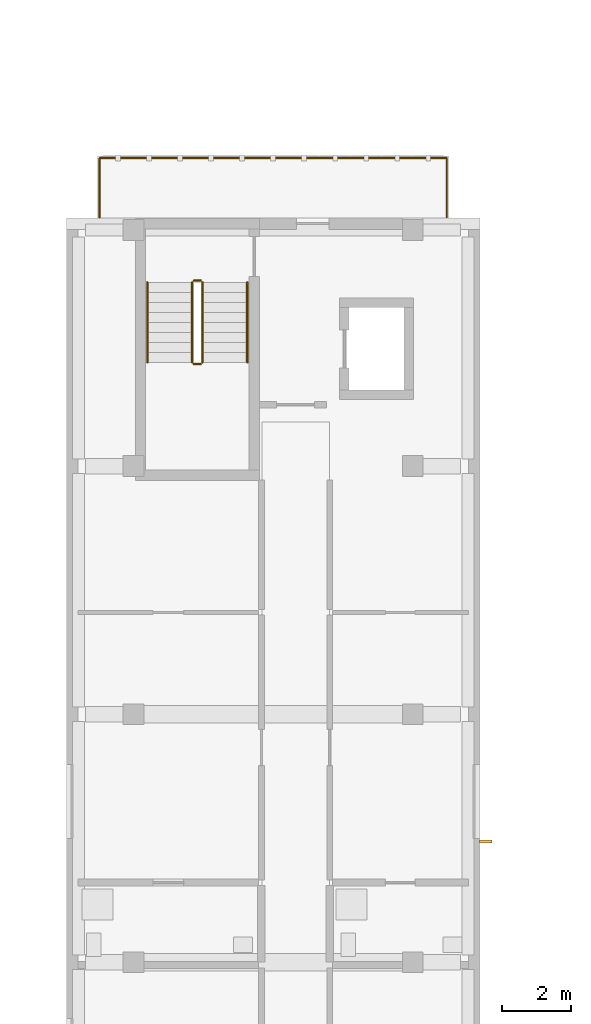
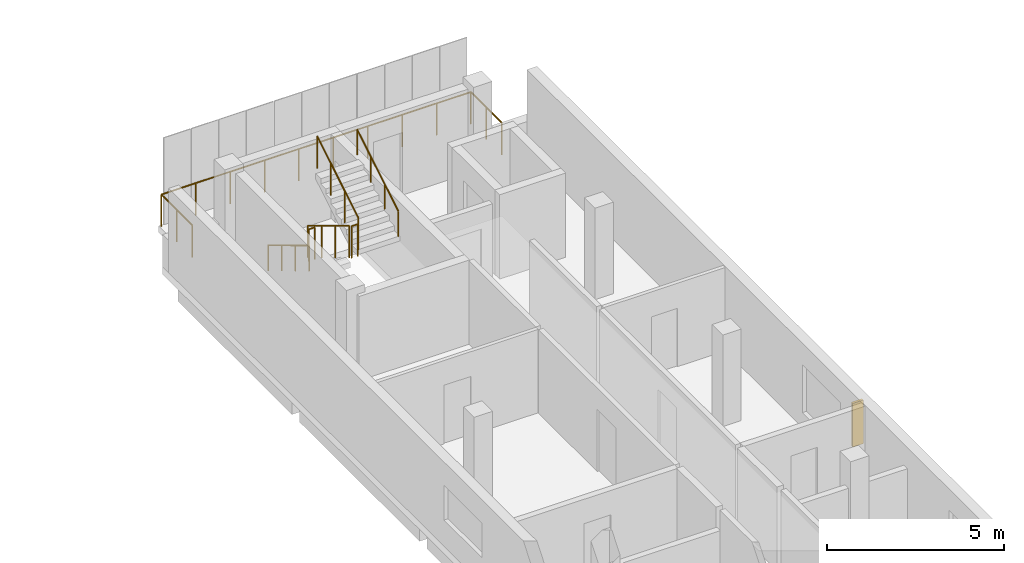
# One storey, part 30 of 35: 7 railings, 1 shading device.
"""IFC4 building model written with IfcOpenShell, lengths in metres."""

from ifc_helpers import new_model, si_unit, derived_unit, direction, frame, origin, origin_2d, place, context, subcontext, project, spatial, rectangle, circle, extrude, material, type_object, element, save


model = new_model("IFC4")

# Units and contexts
model_context = context("Model", 3, precision=1e-05, world=origin(), true_north=direction((0.0, 1.0)))
body_context = subcontext(model_context, "Body", "Model", "MODEL_VIEW")
ifc_project = project(units=[si_unit("LENGTHUNIT", "METRE"), si_unit("AREAUNIT", "SQUARE_METRE"), si_unit("VOLUMEUNIT", "CUBIC_METRE"), si_unit("PLANEANGLEUNIT", "RADIAN"), si_unit("MASSUNIT", "GRAM", prefix="KILO"), derived_unit("THERMALTRANSMITTANCEUNIT", [(si_unit("MASSUNIT", "GRAM", prefix="KILO"), 1), (si_unit("TIMEUNIT", "SECOND"), -3), (si_unit("THERMODYNAMICTEMPERATUREUNIT", "KELVIN"), -1)])], contexts=[model_context])

# Site, building, storey
site_placement = place(None, origin())
site = spatial("IfcSite", under=ifc_project, at=site_placement, CompositionType="ELEMENT")
building_placement = place(site_placement, origin())
building = spatial("IfcBuilding", under=site, at=building_placement, Name="Ochrekiln Boulevard Commons", CompositionType="ELEMENT")
storey_placement = place(building_placement, frame((0.0, 0.0, 30.97509765625)))
storey = spatial("IfcBuildingStorey", under=building, at=storey_placement, Name="L09", CompositionType="ELEMENT", Elevation=30.97509765625)

# Railings
ifc_material_1 = material(Name="Bronze-anodized extruded aluminium 6063-T6", Category="aluminium")
railing_type_1 = type_object("IfcRailingType", Name="RLG-BAL-1120", PredefinedType="BALUSTRADE", material=ifc_material_1)
railing_1_placement = place(storey_placement, frame((155.159912109375, 50.39990234375, 0.0)))
element("IfcRailing", 1, at=railing_1_placement, inside=storey, type_object=railing_type_1, Name="Block C L09 Screened Balcony Guard", PredefinedType="BALUSTRADE", context=body_context, shape_type="SweptSolid", body=[
    extrude(circle(Radius=0.02392578125, at=origin_2d()), frame((0.0, 0.0, 1.09619140625), z_axis=(0.0, 1.0, 0.0), x_axis=(-1.0, 0.0, 0.0)), (0.0, 0.0, 1.0), 1.739990234375),
    extrude(circle(Radius=0.02392578125, at=origin_2d()), frame((0.0, 1.739990234375, 1.09619140625), z_axis=(1.0, 0.0, 0.0), x_axis=(0.0, 1.0, 0.0)), (0.0, 0.0, 1.0), 10.080078125),
    extrude(circle(Radius=0.02392578125, at=origin_2d()), frame((10.080078125, 1.739990234375, 1.09619140625), z_axis=(0.0, -1.0, 0.0), x_axis=(1.0, 0.0, 0.0)), (0.0, 0.0, 1.0), 1.739990234375),
    extrude(circle(Radius=0.02099609375, at=origin_2d()), origin(), (0.0, 0.0, 1.0), 1.072021484375),
    extrude(circle(Radius=0.02099609375, at=origin_2d()), frame((0.0, 0.8701171875, 0.0)), (0.0, 0.0, 1.0), 1.072021484375),
    extrude(circle(Radius=0.02099609375, at=origin_2d()), frame((0.0, 1.739990234375, 0.0)), (0.0, 0.0, 1.0), 1.072021484375),
    extrude(circle(Radius=0.02099609375, at=origin_2d()), frame((1.1201171875, 1.739990234375, 0.0)), (0.0, 0.0, 1.0), 1.072021484375),
    extrude(circle(Radius=0.02099609375, at=origin_2d()), frame((2.239990234375, 1.739990234375, 0.0)), (0.0, 0.0, 1.0), 1.072021484375),
    extrude(circle(Radius=0.02099609375, at=origin_2d()), frame((3.360107421875, 1.739990234375, 0.0)), (0.0, 0.0, 1.0), 1.072021484375),
    extrude(circle(Radius=0.02099609375, at=origin_2d()), frame((4.47998046875, 1.739990234375, 0.0)), (0.0, 0.0, 1.0), 1.072021484375),
    extrude(circle(Radius=0.02099609375, at=origin_2d()), frame((5.60009765625, 1.739990234375, 0.0)), (0.0, 0.0, 1.0), 1.072021484375),
    extrude(circle(Radius=0.02099609375, at=origin_2d()), frame((6.719970703125, 1.739990234375, 0.0)), (0.0, 0.0, 1.0), 1.072021484375),
    extrude(circle(Radius=0.02099609375, at=origin_2d()), frame((7.840087890625, 1.739990234375, 0.0)), (0.0, 0.0, 1.0), 1.072021484375),
    extrude(circle(Radius=0.02099609375, at=origin_2d()), frame((8.9599609375, 1.739990234375, 0.0)), (0.0, 0.0, 1.0), 1.072021484375),
    extrude(circle(Radius=0.02099609375, at=origin_2d()), frame((10.080078125, 1.739990234375, 0.0)), (0.0, 0.0, 1.0), 1.072021484375),
    extrude(circle(Radius=0.02099609375, at=origin_2d()), frame((10.080078125, 0.8701171875, 0.0)), (0.0, 0.0, 1.0), 1.072021484375),
    extrude(circle(Radius=0.02099609375, at=origin_2d()), frame((10.080078125, 0.0, 0.0)), (0.0, 0.0, 1.0), 1.072021484375),
])
ifc_material_2 = material(Name="Brushed stainless steel 316 tubular railing", Category="steel")
railing_type_2 = type_object("IfcRailingType", Name="RLG-HDR-900", PredefinedType="HANDRAIL", material=ifc_material_2)
railing_2_placement = place(storey_placement, frame((156.550048828125, 48.530029296875, 0.1748046875)))
element("IfcRailing", 2, at=railing_2_placement, inside=storey, type_object=railing_type_2, Name="L09 ST-C2 stair handrail 1", PredefinedType="HANDRAIL", context=body_context, shape_type="SweptSolid", body=[
    extrude(circle(Radius=0.02392578125, at=origin_2d()), frame((0.0, 0.0, 0.8759765625), z_axis=(0.0, -0.856170481923, 0.516693435108), x_axis=(1.0, 0.0, 0.0)), (0.0, 0.0, 1.0), 2.709716796875),
    extrude(circle(Radius=0.02099609375, at=origin_2d()), origin(), (0.0, 0.0, 1.0), 0.851806640625),
    extrude(circle(Radius=0.02099609375, at=origin_2d()), frame((0.0, -0.7734375, 0.466796875)), (0.0, 0.0, 1.0), 0.851806640625),
    extrude(circle(Radius=0.02099609375, at=origin_2d()), frame((0.0, -1.546630859375, 0.933349609375)), (0.0, 0.0, 1.0), 0.851806640625),
    extrude(circle(Radius=0.02099609375, at=origin_2d()), frame((0.0, -2.320068359375, 1.400146484375)), (0.0, 0.0, 1.0), 0.851806640625),
])
railing_3_placement = place(storey_placement, frame((159.449951171875, 46.2099609375, 1.75)))
element("IfcRailing", 3, at=railing_3_placement, inside=storey, type_object=railing_type_2, Name="L09 ST-C2 stair handrail 2", PredefinedType="HANDRAIL", context=body_context, shape_type="SweptSolid", body=[
    extrude(circle(Radius=0.02392578125, at=origin_2d()), frame((0.0, 0.0, 0.8759765625), z_axis=(0.0, 0.85621033714, 0.516627388526), x_axis=(-1.0, 0.0, 0.0)), (0.0, 0.0, 1.0), 2.709716796875),
    extrude(circle(Radius=0.02099609375, at=origin_2d()), origin(), (0.0, 0.0, 1.0), 0.851806640625),
    extrude(circle(Radius=0.02099609375, at=origin_2d()), frame((0.0, 0.7734375, 0.466552734375)), (0.0, 0.0, 1.0), 0.851806640625),
    extrude(circle(Radius=0.02099609375, at=origin_2d()), frame((0.0, 1.546630859375, 0.933349609375)), (0.0, 0.0, 1.0), 0.851806640625),
    extrude(circle(Radius=0.02099609375, at=origin_2d()), frame((0.0, 2.320068359375, 1.39990234375)), (0.0, 0.0, 1.0), 0.851806640625),
])
railing_type_3 = type_object("IfcRailingType", Name="RLG-STR-1120", PredefinedType="BALUSTRADE", material=ifc_material_2)
railing_4_placement = place(storey_placement, frame((157.85009765625, 48.530029296875, 0.1748046875)))
element("IfcRailing", 4, at=railing_4_placement, inside=storey, type_object=railing_type_3, Name="L09 ST-C2 stair guard 1", PredefinedType="BALUSTRADE", context=body_context, shape_type="SweptSolid", body=[
    extrude(circle(Radius=0.02392578125, at=origin_2d()), frame((0.0, 0.0, 1.09619140625), z_axis=(0.0, -0.856170481923, 0.516693435108), x_axis=(1.0, 0.0, 0.0)), (0.0, 0.0, 1.0), 2.709716796875),
    extrude(circle(Radius=0.02099609375, at=origin_2d()), origin(), (0.0, 0.0, 1.0), 1.072021484375),
    extrude(circle(Radius=0.02099609375, at=origin_2d()), frame((0.0, -0.7734375, 0.466796875)), (0.0, 0.0, 1.0), 1.072021484375),
    extrude(circle(Radius=0.02099609375, at=origin_2d()), frame((0.0, -1.546630859375, 0.933349609375)), (0.0, 0.0, 1.0), 1.072021484375),
    extrude(circle(Radius=0.02099609375, at=origin_2d()), frame((0.0, -2.320068359375, 1.400146484375)), (0.0, 0.0, 1.0), 1.072021484375),
])
railing_5_placement = place(storey_placement, frame((157.89990234375, 46.159912109375, 1.574951171875)))
element("IfcRailing", 5, at=railing_5_placement, inside=storey, type_object=railing_type_3, Name="L09 ST-C2 stair guard 2", PredefinedType="BALUSTRADE", context=body_context, shape_type="SweptSolid", body=[
    extrude(circle(Radius=0.02392578125, at=origin_2d()), frame((0.0, 0.0, 1.09619140625), z_axis=(1.0, 0.0, 0.0), x_axis=(0.0, 1.0, 0.0)), (0.0, 0.0, 1.0), 0.2001953125),
    extrude(circle(Radius=0.02099609375, at=origin_2d()), origin(), (0.0, 0.0, 1.0), 1.072021484375),
    extrude(circle(Radius=0.02099609375, at=origin_2d()), frame((0.2001953125, 0.0, 0.0)), (0.0, 0.0, 1.0), 1.072021484375),
])
railing_6_placement = place(storey_placement, frame((158.14990234375, 46.2099609375, 1.75)))
element("IfcRailing", 6, at=railing_6_placement, inside=storey, type_object=railing_type_3, Name="L09 ST-C2 stair guard 3", PredefinedType="BALUSTRADE", context=body_context, shape_type="SweptSolid", body=[
    extrude(circle(Radius=0.02392578125, at=origin_2d()), frame((0.0, 0.0, 1.09619140625), z_axis=(0.0, 0.85621033714, 0.516627388526), x_axis=(-1.0, 0.0, 0.0)), (0.0, 0.0, 1.0), 2.709716796875),
    extrude(circle(Radius=0.02099609375, at=origin_2d()), origin(), (0.0, 0.0, 1.0), 1.072021484375),
    extrude(circle(Radius=0.02099609375, at=origin_2d()), frame((0.0, 0.7734375, 0.466552734375)), (0.0, 0.0, 1.0), 1.072021484375),
    extrude(circle(Radius=0.02099609375, at=origin_2d()), frame((0.0, 1.546630859375, 0.933349609375)), (0.0, 0.0, 1.0), 1.072021484375),
    extrude(circle(Radius=0.02099609375, at=origin_2d()), frame((0.0, 2.320068359375, 1.39990234375)), (0.0, 0.0, 1.0), 1.072021484375),
])
railing_7_placement = place(storey_placement, frame((157.89990234375, 48.580078125, 0.0)))
element("IfcRailing", 7, at=railing_7_placement, inside=storey, type_object=railing_type_3, Name="L09 ST-C2 stair guard 4", PredefinedType="BALUSTRADE", context=body_context, shape_type="SweptSolid", body=[
    extrude(circle(Radius=0.02392578125, at=origin_2d()), frame((0.0, 0.0, 1.09619140625), z_axis=(1.0, 0.0, 0.0), x_axis=(0.0, 1.0, 0.0)), (0.0, 0.0, 1.0), 0.2001953125),
    extrude(circle(Radius=0.02099609375, at=origin_2d()), origin(), (0.0, 0.0, 1.0), 1.072021484375),
    extrude(circle(Radius=0.02099609375, at=origin_2d()), frame((0.2001953125, 0.0, 0.0)), (0.0, 0.0, 1.0), 1.072021484375),
])

# Shading device
ifc_material_3 = material(Name="Glazed architectural terracotta ASTM C1405", Category="masonry")
shading_device_type = type_object("IfcShadingDeviceType", Name="SHD-FIN-TERRA", PredefinedType="JALOUSIE", material=ifc_material_3)
shading_device_placement = place(storey_placement, frame((166.3701171875, 32.304931640625, 0.58984375), z_axis=(0.0, 0.0, 1.0), x_axis=(1.0, 0.0, 0.0)))
element("IfcShadingDevice", 8, at=shading_device_placement, inside=storey, type_object=shading_device_type, Name="Terracotta Solar Shading Fin SF-01 (69)", PredefinedType="JALOUSIE", context=body_context, shape_type="SweptSolid", body=[
    extrude(rectangle(XDim=0.35009765625, YDim=0.080078125, at=origin_2d()), origin(), (0.0, 0.0, 1.0), 1.5),
])

save(model, "model.ifc")
